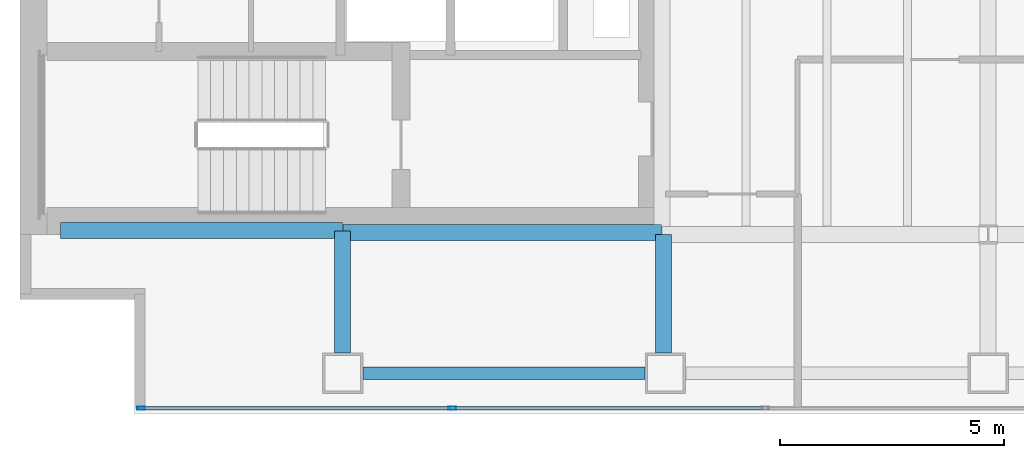
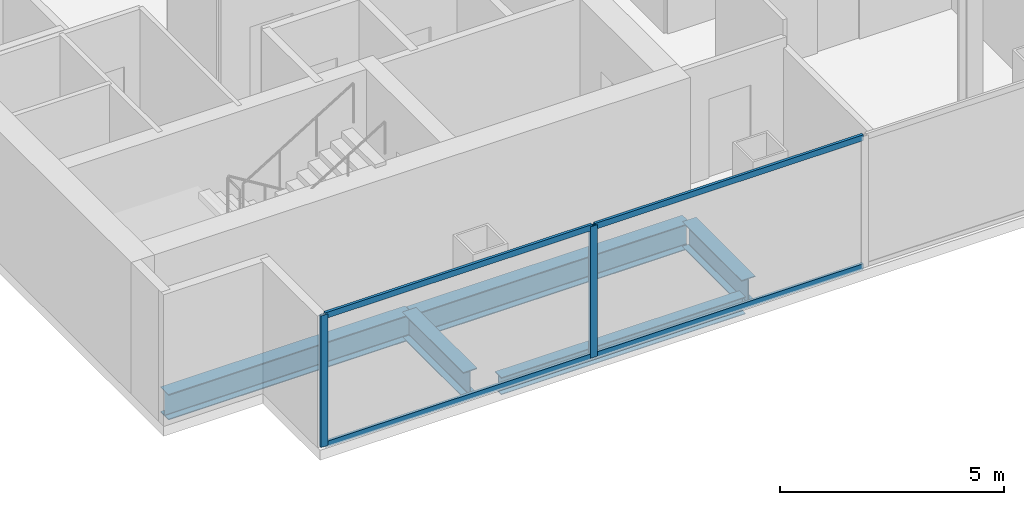
# One storey, part 2 of 23: 6 members, 5 beams, 1 element without a shape of its own.
"""IFC4 building model written with IfcOpenShell, lengths in metres."""

from ifc_helpers import new_model, si_unit, direction, frame, origin, origin_2d, place, context, subcontext, project, spatial, hollow_rectangle, i_section, extrude, material, material_profile, profile_set, type_object, element, aggregate, save


model = new_model("IFC4")

# Units and contexts
model_context = context("Model", 3, precision=1e-05, world=origin(), true_north=direction((0.0, 1.0)))
body_context = subcontext(model_context, "Body", "Model", "MODEL_VIEW")
ifc_project = project(units=[si_unit("LENGTHUNIT", "METRE"), si_unit("AREAUNIT", "SQUARE_METRE"), si_unit("VOLUMEUNIT", "CUBIC_METRE"), si_unit("PLANEANGLEUNIT", "RADIAN"), si_unit("MASSUNIT", "GRAM", prefix="KILO")], contexts=[model_context])

# Site, building, storey
site_placement = place(None, origin())
site = spatial("IfcSite", under=ifc_project, at=site_placement, CompositionType="ELEMENT")
building_placement = place(site_placement, origin())
building = spatial("IfcBuilding", under=site, at=building_placement, Name="Cobrela Telecom Tower", CompositionType="ELEMENT")
storey_placement = place(building_placement, frame((0.0, 0.0, 133.0)))
storey = spatial("IfcBuildingStorey", under=building, at=storey_placement, Name="L33", CompositionType="ELEMENT", Elevation=133.0)

# Beams
ifc_material_1 = material(Name="Steel ASTM A992 Grade 50", Category="steel")
ifc_material_profile_1 = material_profile(ifc_material_1, i_section(OverallWidth=0.35595703125, OverallDepth=0.696044921875, WebThickness=0.015380859375, FlangeThickness=0.024658203125, FilletRadius=0.01806640625, at=origin_2d()), Name="W27X146")
ifc_profile_set_1 = profile_set([ifc_material_profile_1], Name="Steel ASTM A992 Grade 50")
beam_type_1 = type_object("IfcBeamType", Name="BM-GIRD-05", PredefinedType="USERDEFINED", material=ifc_profile_set_1)
beam_1_placement = place(storey_placement, frame((0.905029296875, 7.280029296875, -0.617919921875), z_axis=(1.0, 0.0, 0.0), x_axis=(0.0, 1.0, 0.0)))
element("IfcBeam", 1, at=beam_1_placement, inside=storey, type_object=beam_type_1, Name="L33 Primary Girder X06", ObjectType="GIRDER", PredefinedType="USERDEFINED", context=body_context, shape_type="SweptSolid", body=[
    extrude(i_section(OverallWidth=0.35595703125, OverallDepth=0.696044921875, WebThickness=0.015380859375, FlangeThickness=0.024658203125, FilletRadius=0.01806640625, at=origin_2d()), origin(), (0.0, 0.0, 1.0), 6.2900390625),
])
beam_2_placement = place(storey_placement, frame((7.205078125, 7.239990234375, -0.617919921875), z_axis=(1.0, 0.0, 0.0), x_axis=(0.0, 1.0, 0.0)))
element("IfcBeam", 2, at=beam_2_placement, inside=storey, type_object=beam_type_1, Name="L33 Primary Girder X07", ObjectType="GIRDER", PredefinedType="USERDEFINED", context=body_context, shape_type="SweptSolid", body=[
    extrude(i_section(OverallWidth=0.35595703125, OverallDepth=0.696044921875, WebThickness=0.015380859375, FlangeThickness=0.024658203125, FilletRadius=0.01806640625, at=origin_2d()), origin(), (0.0, 0.0, 1.0), 7.10986328125),
])
beam_3_placement = place(storey_placement, frame((7.199951171875, 4.554931640625, -0.617919921875), z_axis=(0.0, 1.0, 0.0), x_axis=(-1.0, 0.0, 0.0)))
element("IfcBeam", 3, at=beam_3_placement, inside=storey, type_object=beam_type_1, Name="L33 Primary Girder Y31", ObjectType="GIRDER", PredefinedType="USERDEFINED", context=body_context, shape_type="SweptSolid", body=[
    extrude(i_section(OverallWidth=0.35595703125, OverallDepth=0.696044921875, WebThickness=0.015380859375, FlangeThickness=0.024658203125, FilletRadius=0.01806640625, at=origin_2d()), origin(), (0.0, 0.0, 1.0), 2.719970703125),
])
beam_4_placement = place(storey_placement, frame((14.360107421875, 4.554931640625, -0.617919921875), z_axis=(0.0, 1.0, 0.0), x_axis=(-1.0, 0.0, 0.0)))
element("IfcBeam", 4, at=beam_4_placement, inside=storey, type_object=beam_type_1, Name="L33 Primary Girder Y33", ObjectType="GIRDER", PredefinedType="USERDEFINED", context=body_context, shape_type="SweptSolid", body=[
    extrude(i_section(OverallWidth=0.35595703125, OverallDepth=0.696044921875, WebThickness=0.015380859375, FlangeThickness=0.024658203125, FilletRadius=0.01806640625, at=origin_2d()), origin(), (0.0, 0.0, 1.0), 2.64013671875),
])
ifc_material_profile_2 = material_profile(ifc_material_1, i_section(OverallWidth=0.281982421875, OverallDepth=0.467041015625, WebThickness=0.01220703125, FlangeThickness=0.01953125, FilletRadius=0.012939453125, at=origin_2d()), Name="W18X86")
ifc_profile_set_2 = profile_set([ifc_material_profile_2], Name="Steel ASTM A992 Grade 50")
beam_type_2 = type_object("IfcBeamType", Name="BM-SPAND-04", PredefinedType="SPANDREL", material=ifc_profile_set_2)
beam_5_placement = place(storey_placement, frame((7.655029296875, 4.10009765625, -0.50341796875), z_axis=(1.0, 0.0, 0.0), x_axis=(0.0, 1.0, 0.0)))
element("IfcBeam", 5, at=beam_5_placement, inside=storey, type_object=beam_type_2, Name="L33 Perimeter Spandrel X01", PredefinedType="SPANDREL", context=body_context, shape_type="SweptSolid", body=[
    extrude(i_section(OverallWidth=0.281982421875, OverallDepth=0.467041015625, WebThickness=0.01220703125, FlangeThickness=0.01953125, FilletRadius=0.012939453125, at=origin_2d()), origin(), (0.0, 0.0, 1.0), 6.2900390625),
])

# Curtain wall, members
ifc_material_2 = material(Name="Anodized Bronze Aluminium 6063-T6", Category="aluminium")
curtain_wall_type = type_object("IfcCurtainWallType", Name="CW-SYS-TEL", PredefinedType="USERDEFINED", material=ifc_material_2)
curtain_wall_placement = place(storey_placement, origin())
curtain_wall = element("IfcCurtainWall", 6, at=curtain_wall_placement, inside=storey, type_object=curtain_wall_type, Name="L33 Unitised Bronze Curtain Wall 17", ObjectType="UNITISED CURTAIN WALL", PredefinedType="USERDEFINED")
ifc_material_profile_3 = material_profile(ifc_material_2, hollow_rectangle(XDim=0.074951171875, YDim=0.179931640625, WallThickness=0.00390625, at=origin_2d()), Name="ALU 75x180x4")
ifc_profile_set_3 = profile_set([ifc_material_profile_3], Name="Anodized Bronze Aluminium 6063-T6")
member_type_1 = type_object("IfcMemberType", Name="CW-SYS-TEL-MUL", PredefinedType="MULLION", material=ifc_profile_set_3)
member_1_placement = place(storey_placement, frame((9.646728515625, 3.320068359375, 0.0), z_axis=(0.0, 0.0, 1.0), x_axis=(0.0, -1.0, 0.0)))
member_1 = element("IfcMember", 7, at=member_1_placement, type_object=member_type_1, Name="CW-TEL mullion 6", PredefinedType="MULLION", context=body_context, shape_type="SweptSolid", body=[
    extrude(hollow_rectangle(XDim=0.074951171875, YDim=0.179931640625, WallThickness=0.00390625, at=origin_2d()), origin(), (0.0, 0.0, 1.0), 3.580078125),
])
member_2_placement = place(storey_placement, frame((2.70751953125, 3.320068359375, 0.0), z_axis=(0.0, 0.0, 1.0), x_axis=(0.0, -1.0, 0.0)))
member_2 = element("IfcMember", 8, at=member_2_placement, type_object=member_type_1, Name="CW-TEL mullion 7", PredefinedType="MULLION", context=body_context, shape_type="SweptSolid", body=[
    extrude(hollow_rectangle(XDim=0.074951171875, YDim=0.179931640625, WallThickness=0.00390625, at=origin_2d()), origin(), (0.0, 0.0, 1.0), 3.580078125),
])
ifc_material_profile_4 = material_profile(ifc_material_2, hollow_rectangle(XDim=0.070068359375, YDim=0.159912109375, WallThickness=0.00390625, at=origin_2d()), Name="ALU 70x160x4")
ifc_profile_set_4 = profile_set([ifc_material_profile_4], Name="Anodized Bronze Aluminium 6063-T6")
member_type_2 = type_object("IfcMemberType", Name="CW-SYS-TEL-TRN", PredefinedType="USERDEFINED", material=ifc_profile_set_4)
member_3_placement = place(storey_placement, frame((16.5859375, 3.320068359375, 0.034912109375), z_axis=(-1.0, 0.0, 0.0), x_axis=(0.0, -1.0, 0.0)))
member_3 = element("IfcMember", 9, at=member_3_placement, type_object=member_type_2, Name="CW-TEL transom 5.1", ObjectType="TRANSOM", PredefinedType="USERDEFINED", context=body_context, shape_type="SweptSolid", body=[
    extrude(hollow_rectangle(XDim=0.070068359375, YDim=0.159912109375, WallThickness=0.00390625, at=origin_2d()), origin(), (0.0, 0.0, 1.0), 6.90185546875),
])
member_4_placement = place(storey_placement, frame((16.5859375, 3.320068359375, 3.544921875), z_axis=(-1.0, 0.0, 0.0), x_axis=(0.0, -1.0, 0.0)))
member_4 = element("IfcMember", 10, at=member_4_placement, type_object=member_type_2, Name="CW-TEL transom 5.2", ObjectType="TRANSOM", PredefinedType="USERDEFINED", context=body_context, shape_type="SweptSolid", body=[
    extrude(hollow_rectangle(XDim=0.070068359375, YDim=0.159912109375, WallThickness=0.00390625, at=origin_2d()), origin(), (0.0, 0.0, 1.0), 6.90185546875),
])
member_5_placement = place(storey_placement, frame((9.609130859375, 3.320068359375, 0.034912109375), z_axis=(-1.0, 0.0, 0.0), x_axis=(0.0, -1.0, 0.0)))
member_5 = element("IfcMember", 11, at=member_5_placement, type_object=member_type_2, Name="CW-TEL transom 6.1", ObjectType="TRANSOM", PredefinedType="USERDEFINED", context=body_context, shape_type="SweptSolid", body=[
    extrude(hollow_rectangle(XDim=0.070068359375, YDim=0.159912109375, WallThickness=0.00390625, at=origin_2d()), origin(), (0.0, 0.0, 1.0), 6.864013671875),
])
member_6_placement = place(storey_placement, frame((9.609130859375, 3.320068359375, 3.544921875), z_axis=(-1.0, 0.0, 0.0), x_axis=(0.0, -1.0, 0.0)))
member_6 = element("IfcMember", 12, at=member_6_placement, type_object=member_type_2, Name="CW-TEL transom 6.2", ObjectType="TRANSOM", PredefinedType="USERDEFINED", context=body_context, shape_type="SweptSolid", body=[
    extrude(hollow_rectangle(XDim=0.070068359375, YDim=0.159912109375, WallThickness=0.00390625, at=origin_2d()), origin(), (0.0, 0.0, 1.0), 6.864013671875),
])
aggregate(curtain_wall, [member_1, member_2, member_3, member_4, member_5, member_6])

save(model, "model.ifc")
